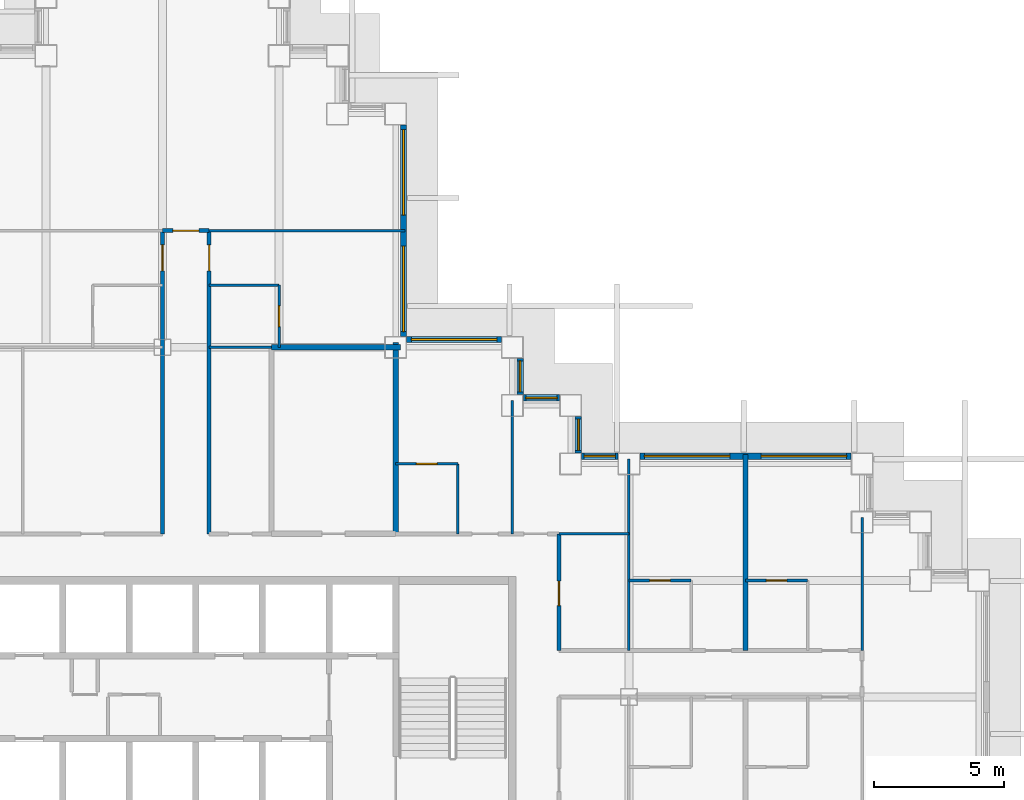
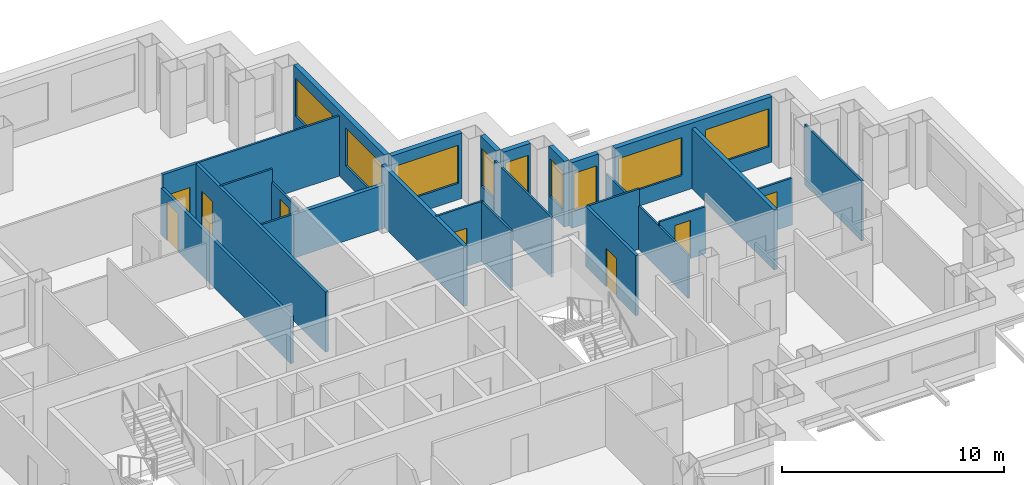
# One storey, part 10 of 17: 26 walls, 9 windows, 8 doors, 17 openings.
"""IFC4 building model written with IfcOpenShell, lengths in metres."""

from ifc_helpers import new_model, si_unit, direction, frame, frame_2d, origin, place, context, subcontext, project, spatial, rectangle, extrude, material, layer, layer_set, type_object, element, fill, save


model = new_model("IFC4")

# Units and contexts
model_context = context("Model", 3, precision=1e-05, world=origin(), true_north=direction((0.0, 1.0)))
body_context = subcontext(model_context, "Body", "Model", "MODEL_VIEW")
ifc_project = project(units=[si_unit("LENGTHUNIT", "METRE"), si_unit("AREAUNIT", "SQUARE_METRE"), si_unit("VOLUMEUNIT", "CUBIC_METRE"), si_unit("PLANEANGLEUNIT", "RADIAN"), si_unit("MASSUNIT", "GRAM", prefix="KILO")], contexts=[model_context])

# Site, building, storey
site_placement = place(None, origin())
site = spatial("IfcSite", under=ifc_project, at=site_placement, CompositionType="ELEMENT")
building_placement = place(site_placement, origin())
building = spatial("IfcBuilding", under=site, at=building_placement, Name="Caravel Reach Hotel and Residences", CompositionType="ELEMENT")
storey_placement = place(building_placement, frame((0.0, 0.0, 126.0)))
storey = spatial("IfcBuildingStorey", under=building, at=storey_placement, Name="L31", CompositionType="ELEMENT", Elevation=126.0)

# Wall, opening, door
ifc_material_1 = material(Name="Gypsum board on steel stud", Category="steel")
ifc_layer_1 = layer(ifc_material_1, 0.10009765625)
ifc_layer_set_1 = layer_set([ifc_layer_1], Name="Bathroom pod wall 100 mm")
wall_type_1 = type_object("IfcWallType", Name="Bathroom pod wall 100 mm", PredefinedType="PARTITIONING", material=ifc_layer_set_1)
wall_1_placement = place(storey_placement, frame((49.5, 31.5, 0.0), z_axis=(0.0, 0.0, 1.0), x_axis=(1.0, 0.0, 0.0)))
wall_1 = element("IfcWall", 1, at=wall_1_placement, inside=storey, type_object=wall_type_1, Name="L31 wall w075", PredefinedType="PARTITIONING", context=body_context, shape_type="SweptSolid", body=[
    extrude(rectangle(XDim=2.39990234375, YDim=0.10009765625, at=frame_2d((1.199951171875, 0.0))), origin(), (0.0, 0.0, 1.0), 2.580078125),
])
opening_1_placement = place(wall_1_placement, frame((0.800048828125, 0.0, 0.0)))
opening_1 = element("IfcOpeningElement", 2, at=opening_1_placement, cuts=wall_1, Name="Opening D31-025", PredefinedType="OPENING", context=body_context, shape_type="SweptSolid", body=[
    extrude(rectangle(XDim=0.800048828125, YDim=2.10009765625, at=frame_2d((0.39990234375, 1.050048828125))), frame((0.0, 0.06005859375, 0.0), z_axis=(0.0, -1.0, 0.0), x_axis=(1.0, 0.0, 0.0)), (0.0, 0.0, 1.0), 0.1201171875),
])
ifc_material_2 = material(Name="Timber and steel door leaf", Category="steel")
door_type_1 = type_object("IfcDoorType", Name="Bathroom door 800 x 2100", OperationType="SINGLE_SWING_LEFT", PredefinedType="DOOR", material=ifc_material_2)
door_1_placement = place(opening_1_placement, origin())
door_1 = element("IfcDoor", 3, at=door_1_placement, inside=storey, type_object=door_type_1, Name="door D31-025", OperationType="SINGLE_SWING_RIGHT", OverallHeight=2.10009765625, OverallWidth=0.800048828125, PredefinedType="DOOR", context=body_context, shape_type="SweptSolid", body=[
    extrude(rectangle(XDim=0.800048828125, YDim=2.10009765625, at=frame_2d((0.39990234375, 1.050048828125))), frame((0.0, 0.02490234375, 0.0), z_axis=(0.0, -1.0, 0.0), x_axis=(1.0, 0.0, 0.0)), (0.0, 0.0, 1.0), 0.050048828125),
])
fill(opening_1, door_1)

wall_2_placement = place(storey_placement, frame((54.0, 31.5, 0.0), z_axis=(0.0, 0.0, 1.0), x_axis=(1.0, 0.0, 0.0)))
wall_2 = element("IfcWall", 4, at=wall_2_placement, inside=storey, type_object=wall_type_1, Name="L31 wall w076", PredefinedType="PARTITIONING", context=body_context, shape_type="SweptSolid", body=[
    extrude(rectangle(XDim=2.39990234375, YDim=0.10009765625, at=frame_2d((1.199951171875, 0.0))), origin(), (0.0, 0.0, 1.0), 2.580078125),
])
opening_2_placement = place(wall_2_placement, frame((0.800048828125, 0.0, 0.0)))
opening_2 = element("IfcOpeningElement", 5, at=opening_2_placement, cuts=wall_2, Name="Opening D31-027", PredefinedType="OPENING", context=body_context, shape_type="SweptSolid", body=[
    extrude(rectangle(XDim=0.800048828125, YDim=2.10009765625, at=frame_2d((0.39990234375, 1.050048828125))), frame((0.0, 0.06005859375, 0.0), z_axis=(0.0, -1.0, 0.0), x_axis=(1.0, 0.0, 0.0)), (0.0, 0.0, 1.0), 0.1201171875),
])
door_2_placement = place(opening_2_placement, origin())
door_2 = element("IfcDoor", 6, at=door_2_placement, inside=storey, type_object=door_type_1, Name="door D31-027", OperationType="SINGLE_SWING_LEFT", OverallHeight=2.10009765625, OverallWidth=0.800048828125, PredefinedType="DOOR", context=body_context, shape_type="SweptSolid", body=[
    extrude(rectangle(XDim=0.800048828125, YDim=2.10009765625, at=frame_2d((0.39990234375, 1.050048828125))), frame((0.0, 0.02490234375, 0.0), z_axis=(0.0, -1.0, 0.0), x_axis=(1.0, 0.0, 0.0)), (0.0, 0.0, 1.0), 0.050048828125),
])
fill(opening_2, door_2)

wall_3_placement = place(storey_placement, frame((40.5, 36.0, 0.0), z_axis=(0.0, 0.0, 1.0), x_axis=(1.0, 0.0, 0.0)))
wall_3 = element("IfcWall", 7, at=wall_3_placement, inside=storey, type_object=wall_type_1, Name="L31 wall w078", PredefinedType="PARTITIONING", context=body_context, shape_type="SweptSolid", body=[
    extrude(rectangle(XDim=2.39990234375, YDim=0.10009765625, at=frame_2d((1.199951171875, 0.0))), origin(), (0.0, 0.0, 1.0), 3.300048828125),
])
opening_3_placement = place(wall_3_placement, frame((0.800048828125, 0.0, 0.0)))
opening_3 = element("IfcOpeningElement", 8, at=opening_3_placement, cuts=wall_3, Name="Opening D31-044", PredefinedType="OPENING", context=body_context, shape_type="SweptSolid", body=[
    extrude(rectangle(XDim=0.800048828125, YDim=2.10009765625, at=frame_2d((0.39990234375, 1.050048828125))), frame((0.0, 0.06005859375, 0.0), z_axis=(0.0, -1.0, 0.0), x_axis=(1.0, 0.0, 0.0)), (0.0, 0.0, 1.0), 0.1201171875),
])
door_3_placement = place(opening_3_placement, origin())
door_3 = element("IfcDoor", 9, at=door_3_placement, inside=storey, type_object=door_type_1, Name="door D31-044", OperationType="SINGLE_SWING_LEFT", OverallHeight=2.10009765625, OverallWidth=0.800048828125, PredefinedType="DOOR", context=body_context, shape_type="SweptSolid", body=[
    extrude(rectangle(XDim=0.800048828125, YDim=2.10009765625, at=frame_2d((0.39990234375, 1.050048828125))), frame((0.0, 0.02490234375, 0.0), z_axis=(0.0, -1.0, 0.0), x_axis=(1.0, 0.0, 0.0)), (0.0, 0.0, 1.0), 0.050048828125),
])
fill(opening_3, door_3)

# Wall
wall_4_placement = place(storey_placement, frame((33.300048828125, 42.89990234375, 0.0), z_axis=(0.0, 0.0, 1.0), x_axis=(1.0, 0.0, 0.0)))
element("IfcWall", 10, at=wall_4_placement, inside=storey, type_object=wall_type_1, Name="L31 wall w079", PredefinedType="PARTITIONING", context=body_context, shape_type="SweptSolid", body=[
    extrude(rectangle(XDim=2.699951171875, YDim=0.10009765625, at=frame_2d((1.35009765625, 0.0))), origin(), (0.0, 0.0, 1.0), 3.300048828125),
])

# Wall, opening, door
wall_5_placement = place(storey_placement, frame((36.0, 40.5, 0.0), z_axis=(0.0, 0.0, 1.0), x_axis=(0.0, 1.0, 0.0)))
wall_5 = element("IfcWall", 11, at=wall_5_placement, inside=storey, type_object=wall_type_1, Name="L31 wall w089", PredefinedType="PARTITIONING", context=body_context, shape_type="SweptSolid", body=[
    extrude(rectangle(XDim=2.39990234375, YDim=0.10009765625, at=frame_2d((1.199951171875, 0.0))), origin(), (0.0, 0.0, 1.0), 2.580078125),
])
opening_4_placement = place(wall_5_placement, frame((0.800048828125, 0.0, 0.0)))
opening_4 = element("IfcOpeningElement", 12, at=opening_4_placement, cuts=wall_5, Name="Opening D31-031", PredefinedType="OPENING", context=body_context, shape_type="SweptSolid", body=[
    extrude(rectangle(XDim=0.800048828125, YDim=2.10009765625, at=frame_2d((0.39990234375, 1.050048828125))), frame((0.0, 0.06005859375, 0.0), z_axis=(0.0, -1.0, 0.0), x_axis=(1.0, 0.0, 0.0)), (0.0, 0.0, 1.0), 0.1201171875),
])
door_4_placement = place(opening_4_placement, origin())
door_4 = element("IfcDoor", 13, at=door_4_placement, inside=storey, type_object=door_type_1, Name="door D31-031", OperationType="SINGLE_SWING_LEFT", OverallHeight=2.10009765625, OverallWidth=0.800048828125, PredefinedType="DOOR", context=body_context, shape_type="SweptSolid", body=[
    extrude(rectangle(XDim=0.800048828125, YDim=2.10009765625, at=frame_2d((0.39990234375, 1.050048828125))), frame((0.0, 0.02490234375, 0.0), z_axis=(0.0, -1.0, 0.0), x_axis=(1.0, 0.0, 0.0)), (0.0, 0.0, 1.0), 0.050048828125),
])
fill(opening_4, door_4)

# Walls
wall_6_placement = place(storey_placement, frame((42.89990234375, 33.300048828125, 0.0), z_axis=(0.0, 0.0, 1.0), x_axis=(0.0, 1.0, 0.0)))
element("IfcWall", 14, at=wall_6_placement, inside=storey, type_object=wall_type_1, Name="L31 wall w090", PredefinedType="PARTITIONING", context=body_context, shape_type="SweptSolid", body=[
    extrude(rectangle(XDim=2.699951171875, YDim=0.10009765625, at=frame_2d((1.35009765625, 0.0))), origin(), (0.0, 0.0, 1.0), 3.300048828125),
])
ifc_material_3 = material(Name="Autoclaved aerated block wall")
ifc_layer_2 = layer(ifc_material_3, 0.199951171875)
ifc_layer_set_2 = layer_set([ifc_layer_2], Name="Compartment wall 200 mm EI 120")
wall_type_2 = type_object("IfcWallType", Name="Compartment wall 200 mm EI 120", PredefinedType="PARTITIONING", material=ifc_layer_set_2)
wall_7_placement = place(storey_placement, frame((35.699951171875, 40.5, 0.0), z_axis=(0.0, 0.0, 1.0), x_axis=(1.0, 0.0, 0.0)))
element("IfcWall", 15, at=wall_7_placement, inside=storey, type_object=wall_type_2, Name="L31 wall w099", PredefinedType="PARTITIONING", context=body_context, shape_type="SweptSolid", body=[
    extrude(rectangle(XDim=4.989990234375, YDim=0.199951171875, at=frame_2d((2.4951171875, 0.0))), origin(), (0.0, 0.0, 1.0), 2.3798828125),
])
wall_8_placement = place(storey_placement, frame((40.5, 33.300048828125, 0.0), z_axis=(0.0, 0.0, 1.0), x_axis=(0.0, 1.0, 0.0)))
element("IfcWall", 16, at=wall_8_placement, inside=storey, type_object=wall_type_2, Name="L31 wall w103", PredefinedType="PARTITIONING", context=body_context, shape_type="SweptSolid", body=[
    extrude(rectangle(XDim=7.389892578125, YDim=0.199951171875, at=frame_2d((3.69482421875, 0.0))), origin(), (0.0, 0.0, 1.0), 3.300048828125),
])

# Wall, opening, door
ifc_material_4 = material(Name="Gypsum board on steel stud, fire-rated", Category="steel")
ifc_layer_3 = layer(ifc_material_4, 0.14990234375)
ifc_layer_set_3 = layer_set([ifc_layer_3], Name="Corridor wall 150 mm EI 60")
wall_type_3 = type_object("IfcWallType", Name="Corridor wall 150 mm EI 60", PredefinedType="PARTITIONING", material=ifc_layer_set_3)
wall_9_placement = place(storey_placement, frame((31.5, 45.0, 0.0), z_axis=(0.0, 0.0, 1.0), x_axis=(1.0, 0.0, 0.0)))
wall_9 = element("IfcWall", 17, at=wall_9_placement, inside=storey, type_object=wall_type_3, Name="L31 wall w021", PredefinedType="PARTITIONING", context=body_context, shape_type="SweptSolid", body=[
    extrude(rectangle(XDim=1.800048828125, YDim=0.14990234375, at=frame_2d((0.89990234375, 0.0))), origin(), (0.0, 0.0, 1.0), 3.300048828125),
])
opening_5_placement = place(wall_9_placement, frame((0.39990234375, 0.0, 0.0)))
opening_5 = element("IfcOpeningElement", 18, at=opening_5_placement, cuts=wall_9, Name="Opening D31-038", PredefinedType="OPENING", context=body_context, shape_type="SweptSolid", body=[
    extrude(rectangle(XDim=1.0, YDim=2.10009765625, at=frame_2d((0.5, 1.050048828125))), frame((0.0, 0.0849609375, 0.0), z_axis=(0.0, -1.0, 0.0), x_axis=(1.0, 0.0, 0.0)), (0.0, 0.0, 1.0), 0.169921875),
])
ifc_material_5 = material(Name="Steel fire door leaf", Category="steel")
door_type_2 = type_object("IfcDoorType", Name="Guest room door 1000 x 2100 EI 30", OperationType="SINGLE_SWING_LEFT", PredefinedType="DOOR", material=ifc_material_5)
door_5_placement = place(opening_5_placement, origin())
door_5 = element("IfcDoor", 19, at=door_5_placement, inside=storey, type_object=door_type_2, Name="door D31-038", OperationType="SINGLE_SWING_RIGHT", OverallHeight=2.10009765625, OverallWidth=1.0, PredefinedType="DOOR", context=body_context, shape_type="SweptSolid", body=[
    extrude(rectangle(XDim=1.0, YDim=2.10009765625, at=frame_2d((0.5, 1.050048828125))), frame((0.0, 0.02490234375, 0.0), z_axis=(0.0, -1.0, 0.0), x_axis=(1.0, 0.0, 0.0)), (0.0, 0.0, 1.0), 0.050048828125),
])
fill(opening_5, door_5)

wall_10_placement = place(storey_placement, frame((31.5, 33.300048828125, 0.0), z_axis=(0.0, 0.0, 1.0), x_axis=(0.0, 1.0, 0.0)))
wall_10 = element("IfcWall", 20, at=wall_10_placement, inside=storey, type_object=wall_type_3, Name="L31 wall w029", PredefinedType="PARTITIONING", context=body_context, shape_type="SweptSolid", body=[
    extrude(rectangle(XDim=11.699951171875, YDim=0.14990234375, at=frame_2d((5.85009765625, 0.0))), origin(), (0.0, 0.0, 1.0), 2.580078125),
])
opening_6_placement = place(wall_10_placement, frame((10.14990234375, 0.0, 0.0)))
opening_6 = element("IfcOpeningElement", 21, at=opening_6_placement, cuts=wall_10, Name="Opening D31-028", PredefinedType="OPENING", context=body_context, shape_type="SweptSolid", body=[
    extrude(rectangle(XDim=1.0, YDim=2.10009765625, at=frame_2d((0.5, 1.050048828125))), frame((0.0, 0.0849609375, 0.0), z_axis=(0.0, -1.0, 0.0), x_axis=(1.0, 0.0, 0.0)), (0.0, 0.0, 1.0), 0.169921875),
])
door_6_placement = place(opening_6_placement, origin())
door_6 = element("IfcDoor", 22, at=door_6_placement, inside=storey, type_object=door_type_2, Name="door D31-028", OperationType="SINGLE_SWING_RIGHT", OverallHeight=2.10009765625, OverallWidth=1.0, PredefinedType="DOOR", context=body_context, shape_type="SweptSolid", body=[
    extrude(rectangle(XDim=1.0, YDim=2.10009765625, at=frame_2d((0.5, 1.050048828125))), frame((0.0, 0.02490234375, 0.0), z_axis=(0.0, -1.0, 0.0), x_axis=(1.0, 0.0, 0.0)), (0.0, 0.0, 1.0), 0.050048828125),
])
fill(opening_6, door_6)

wall_11_placement = place(storey_placement, frame((33.300048828125, 33.300048828125, 0.0), z_axis=(0.0, 0.0, 1.0), x_axis=(0.0, 1.0, 0.0)))
wall_11 = element("IfcWall", 23, at=wall_11_placement, inside=storey, type_object=wall_type_3, Name="L31 wall w032", PredefinedType="PARTITIONING", context=body_context, shape_type="SweptSolid", body=[
    extrude(rectangle(XDim=11.699951171875, YDim=0.14990234375, at=frame_2d((5.85009765625, 0.0))), origin(), (0.0, 0.0, 1.0), 3.300048828125),
])
opening_7_placement = place(wall_11_placement, frame((10.14990234375, 0.0, 0.0)))
opening_7 = element("IfcOpeningElement", 24, at=opening_7_placement, cuts=wall_11, Name="Opening D31-030", PredefinedType="OPENING", context=body_context, shape_type="SweptSolid", body=[
    extrude(rectangle(XDim=1.0, YDim=2.10009765625, at=frame_2d((0.5, 1.050048828125))), frame((0.0, 0.0849609375, 0.0), z_axis=(0.0, -1.0, 0.0), x_axis=(1.0, 0.0, 0.0)), (0.0, 0.0, 1.0), 0.169921875),
])
door_7_placement = place(opening_7_placement, origin())
door_7 = element("IfcDoor", 25, at=door_7_placement, inside=storey, type_object=door_type_2, Name="door D31-030", OperationType="SINGLE_SWING_RIGHT", OverallHeight=2.10009765625, OverallWidth=1.0, PredefinedType="DOOR", context=body_context, shape_type="SweptSolid", body=[
    extrude(rectangle(XDim=1.0, YDim=2.10009765625, at=frame_2d((0.5, 1.050048828125))), frame((0.0, 0.02490234375, 0.0), z_axis=(0.0, -1.0, 0.0), x_axis=(1.0, 0.0, 0.0)), (0.0, 0.0, 1.0), 0.050048828125),
])
fill(opening_7, door_7)

wall_12_placement = place(storey_placement, frame((46.800048828125, 28.800048828125, 0.0), z_axis=(0.0, 0.0, 1.0), x_axis=(0.0, 1.0, 0.0)))
wall_12 = element("IfcWall", 26, at=wall_12_placement, inside=storey, type_object=wall_type_3, Name="L31 wall w033", PredefinedType="PARTITIONING", context=body_context, shape_type="SweptSolid", body=[
    extrude(rectangle(XDim=4.5, YDim=0.14990234375, at=frame_2d((2.25, 0.0))), origin(), (0.0, 0.0, 1.0), 3.300048828125),
])
opening_8_placement = place(wall_12_placement, frame((1.72509765625, 0.0, 0.0)))
opening_8 = element("IfcOpeningElement", 27, at=opening_8_placement, cuts=wall_12, Name="Opening D31-059", PredefinedType="OPENING", context=body_context, shape_type="SweptSolid", body=[
    extrude(rectangle(XDim=0.949951171875, YDim=2.10009765625, at=frame_2d((0.47509765625, 1.050048828125))), frame((0.0, 0.0849609375, 0.0), z_axis=(0.0, -1.0, 0.0), x_axis=(1.0, 0.0, 0.0)), (0.0, 0.0, 1.0), 0.169921875),
])
ifc_material_6 = material(Name="Timber and steel door leaf", Category="steel")
door_type_3 = type_object("IfcDoorType", Name="Accessible WC door 950 x 2100", OperationType="SINGLE_SWING_LEFT", PredefinedType="DOOR", material=ifc_material_6)
door_8_placement = place(opening_8_placement, origin())
door_8 = element("IfcDoor", 28, at=door_8_placement, inside=storey, type_object=door_type_3, Name="door D31-059", OperationType="SINGLE_SWING_RIGHT", OverallHeight=2.10009765625, OverallWidth=0.949951171875, PredefinedType="DOOR", context=body_context, shape_type="SweptSolid", body=[
    extrude(rectangle(XDim=0.949951171875, YDim=2.10009765625, at=frame_2d((0.47509765625, 1.050048828125))), frame((0.0, 0.02490234375, 0.0), z_axis=(0.0, -1.0, 0.0), x_axis=(1.0, 0.0, 0.0)), (0.0, 0.0, 1.0), 0.050048828125),
])
fill(opening_8, door_8)

# Wall, openings, windows
ifc_material_7 = material(Name="Insulated rainscreen wall, aluminium cladding", Category="aluminium")
ifc_layer_4 = layer(ifc_material_7, 0.25)
ifc_layer_set_4 = layer_set([ifc_layer_4], Name="EW1 Tower rainscreen wall")
wall_type_4 = type_object("IfcWallType", Name="EW1 Tower rainscreen wall", PredefinedType="SOLIDWALL", material=ifc_layer_set_4)
wall_13_placement = place(storey_placement, frame((58.074951171875, 36.300048828125, 0.0), z_axis=(0.0, 0.0, 1.0), x_axis=(-1.0, 0.0, 0.0)))
wall_13 = element("IfcWall", 29, at=wall_13_placement, inside=storey, type_object=wall_type_4, Name="External wall L31 N25.1", PredefinedType="SOLIDWALL", context=body_context, shape_type="SweptSolid", body=[
    extrude(rectangle(XDim=8.14990234375, YDim=0.25, at=frame_2d((4.074951171875, 0.0))), origin(), (0.0, 0.0, 1.0), 3.60009765625),
])
opening_9_placement = place(wall_13_placement, frame((0.175048828125, 0.0, 0.89990234375)))
opening_9 = element("IfcOpeningElement", 30, at=opening_9_placement, cuts=wall_13, Name="Opening WN4", PredefinedType="OPENING", context=body_context, shape_type="SweptSolid", body=[
    extrude(rectangle(XDim=3.300048828125, YDim=2.080078125, at=frame_2d((1.64990234375, 1.0400390625))), frame((0.0, 0.135009765625, 0.0), z_axis=(0.0, -1.0, 0.0), x_axis=(1.0, 0.0, 0.0)), (0.0, 0.0, 1.0), 0.27001953125),
])
opening_10_placement = place(wall_13_placement, frame((4.675048828125, 0.0, 0.89990234375)))
opening_10 = element("IfcOpeningElement", 31, at=opening_10_placement, cuts=wall_13, Name="Opening WN4", PredefinedType="OPENING", context=body_context, shape_type="SweptSolid", body=[
    extrude(rectangle(XDim=3.300048828125, YDim=2.080078125, at=frame_2d((1.64990234375, 1.0400390625))), frame((0.0, 0.135009765625, 0.0), z_axis=(0.0, -1.0, 0.0), x_axis=(1.0, 0.0, 0.0)), (0.0, 0.0, 1.0), 0.27001953125),
])
ifc_material_8 = material(Name="Dark low-e glazing in black aluminium frame", Category="aluminium")
window_type_1 = type_object("IfcWindowType", Name="Hotel guest room window 3300 x 2080", PartitioningType="SINGLE_PANEL", PredefinedType="WINDOW", material=ifc_material_8)
window_1_placement = place(opening_9_placement, origin())
window_1 = element("IfcWindow", 32, at=window_1_placement, inside=storey, type_object=window_type_1, Name="Window L31 N25.1.1", OverallHeight=2.080078125, OverallWidth=3.300048828125, PartitioningType="SINGLE_PANEL", PredefinedType="WINDOW", context=body_context, shape_type="SweptSolid", body=[
    extrude(rectangle(XDim=3.300048828125, YDim=2.080078125, at=frame_2d((1.64990234375, 1.0400390625))), frame((0.0, 0.030029296875, 0.0), z_axis=(0.0, -1.0, 0.0), x_axis=(1.0, 0.0, 0.0)), (0.0, 0.0, 1.0), 0.06005859375),
])
fill(opening_9, window_1)
window_2_placement = place(opening_10_placement, origin())
window_2 = element("IfcWindow", 33, at=window_2_placement, inside=storey, type_object=window_type_1, Name="Window L31 N25.1.2", OverallHeight=2.080078125, OverallWidth=3.300048828125, PartitioningType="SINGLE_PANEL", PredefinedType="WINDOW", context=body_context, shape_type="SweptSolid", body=[
    extrude(rectangle(XDim=3.300048828125, YDim=2.080078125, at=frame_2d((1.64990234375, 1.0400390625))), frame((0.0, 0.030029296875, 0.0), z_axis=(0.0, -1.0, 0.0), x_axis=(1.0, 0.0, 0.0)), (0.0, 0.0, 1.0), 0.06005859375),
])
fill(opening_10, window_2)

# Wall, opening, window
wall_14_placement = place(storey_placement, frame((49.074951171875, 36.300048828125, 0.0), z_axis=(0.0, 0.0, 1.0), x_axis=(-1.0, 0.0, 0.0)))
wall_14 = element("IfcWall", 34, at=wall_14_placement, inside=storey, type_object=wall_type_4, Name="External wall L31 N25.2", PredefinedType="SOLIDWALL", context=body_context, shape_type="SweptSolid", body=[
    extrude(rectangle(XDim=1.39990234375, YDim=0.25, at=frame_2d((0.699951171875, 0.0))), origin(), (0.0, 0.0, 1.0), 3.60009765625),
])
opening_11_placement = place(wall_14_placement, frame((0.10009765625, 0.0, 0.89990234375)))
opening_11 = element("IfcOpeningElement", 35, at=opening_11_placement, cuts=wall_14, Name="Opening WN9", PredefinedType="OPENING", context=body_context, shape_type="SweptSolid", body=[
    extrude(rectangle(XDim=1.199951171875, YDim=2.080078125, at=frame_2d((0.60009765625, 1.0400390625))), frame((0.0, 0.135009765625, 0.0), z_axis=(0.0, -1.0, 0.0), x_axis=(1.0, 0.0, 0.0)), (0.0, 0.0, 1.0), 0.27001953125),
])
ifc_material_9 = material(Name="Dark low-e glazing in black aluminium frame", Category="aluminium")
window_type_2 = type_object("IfcWindowType", Name="Hotel suite corner window 1200 x 2080", PartitioningType="SINGLE_PANEL", PredefinedType="WINDOW", material=ifc_material_9)
window_3_placement = place(opening_11_placement, origin())
window_3 = element("IfcWindow", 36, at=window_3_placement, inside=storey, type_object=window_type_2, Name="Window L31 N25.2.1", OverallHeight=2.080078125, OverallWidth=1.199951171875, PartitioningType="SINGLE_PANEL", PredefinedType="WINDOW", context=body_context, shape_type="SweptSolid", body=[
    extrude(rectangle(XDim=1.199951171875, YDim=2.080078125, at=frame_2d((0.60009765625, 1.0400390625))), frame((0.0, 0.030029296875, 0.0), z_axis=(0.0, -1.0, 0.0), x_axis=(1.0, 0.0, 0.0)), (0.0, 0.0, 1.0), 0.06005859375),
])
fill(opening_11, window_3)

wall_15_placement = place(storey_placement, frame((47.550048828125, 36.425048828125, 0.0), z_axis=(0.0, 0.0, 1.0), x_axis=(0.0, 1.0, 0.0)))
wall_15 = element("IfcWall", 37, at=wall_15_placement, inside=storey, type_object=wall_type_4, Name="External wall L31 E26.1", PredefinedType="SOLIDWALL", context=body_context, shape_type="SweptSolid", body=[
    extrude(rectangle(XDim=1.39990234375, YDim=0.25, at=frame_2d((0.699951171875, 0.0))), origin(), (0.0, 0.0, 1.0), 3.60009765625),
])
opening_12_placement = place(wall_15_placement, frame((0.10009765625, 0.0, 0.89990234375)))
opening_12 = element("IfcOpeningElement", 38, at=opening_12_placement, cuts=wall_15, Name="Opening WN9", PredefinedType="OPENING", context=body_context, shape_type="SweptSolid", body=[
    extrude(rectangle(XDim=1.199951171875, YDim=2.080078125, at=frame_2d((0.60009765625, 1.0400390625))), frame((0.0, 0.135009765625, 0.0), z_axis=(0.0, -1.0, 0.0), x_axis=(1.0, 0.0, 0.0)), (0.0, 0.0, 1.0), 0.27001953125),
])
window_4_placement = place(opening_12_placement, origin())
window_4 = element("IfcWindow", 39, at=window_4_placement, inside=storey, type_object=window_type_2, Name="Window L31 E26.1.1", OverallHeight=2.080078125, OverallWidth=1.199951171875, PartitioningType="SINGLE_PANEL", PredefinedType="WINDOW", context=body_context, shape_type="SweptSolid", body=[
    extrude(rectangle(XDim=1.199951171875, YDim=2.080078125, at=frame_2d((0.60009765625, 1.0400390625))), frame((0.0, 0.030029296875, 0.0), z_axis=(0.0, -1.0, 0.0), x_axis=(1.0, 0.0, 0.0)), (0.0, 0.0, 1.0), 0.06005859375),
])
fill(opening_12, window_4)

wall_16_placement = place(storey_placement, frame((46.824951171875, 38.550048828125, 0.0), z_axis=(0.0, 0.0, 1.0), x_axis=(-1.0, 0.0, 0.0)))
wall_16 = element("IfcWall", 40, at=wall_16_placement, inside=storey, type_object=wall_type_4, Name="External wall L31 N27.1", PredefinedType="SOLIDWALL", context=body_context, shape_type="SweptSolid", body=[
    extrude(rectangle(XDim=1.39990234375, YDim=0.25, at=frame_2d((0.699951171875, 0.0))), origin(), (0.0, 0.0, 1.0), 3.60009765625),
])
opening_13_placement = place(wall_16_placement, frame((0.10009765625, 0.0, 0.89990234375)))
opening_13 = element("IfcOpeningElement", 41, at=opening_13_placement, cuts=wall_16, Name="Opening WN9", PredefinedType="OPENING", context=body_context, shape_type="SweptSolid", body=[
    extrude(rectangle(XDim=1.199951171875, YDim=2.080078125, at=frame_2d((0.60009765625, 1.0400390625))), frame((0.0, 0.135009765625, 0.0), z_axis=(0.0, -1.0, 0.0), x_axis=(1.0, 0.0, 0.0)), (0.0, 0.0, 1.0), 0.27001953125),
])
window_5_placement = place(opening_13_placement, origin())
window_5 = element("IfcWindow", 42, at=window_5_placement, inside=storey, type_object=window_type_2, Name="Window L31 N27.1.1", OverallHeight=2.080078125, OverallWidth=1.199951171875, PartitioningType="SINGLE_PANEL", PredefinedType="WINDOW", context=body_context, shape_type="SweptSolid", body=[
    extrude(rectangle(XDim=1.199951171875, YDim=2.080078125, at=frame_2d((0.60009765625, 1.0400390625))), frame((0.0, 0.030029296875, 0.0), z_axis=(0.0, -1.0, 0.0), x_axis=(1.0, 0.0, 0.0)), (0.0, 0.0, 1.0), 0.06005859375),
])
fill(opening_13, window_5)

wall_17_placement = place(storey_placement, frame((45.300048828125, 38.675048828125, 0.0), z_axis=(0.0, 0.0, 1.0), x_axis=(0.0, 1.0, 0.0)))
wall_17 = element("IfcWall", 43, at=wall_17_placement, inside=storey, type_object=wall_type_4, Name="External wall L31 E28.1", PredefinedType="SOLIDWALL", context=body_context, shape_type="SweptSolid", body=[
    extrude(rectangle(XDim=1.39990234375, YDim=0.25, at=frame_2d((0.699951171875, 0.0))), origin(), (0.0, 0.0, 1.0), 3.60009765625),
])
opening_14_placement = place(wall_17_placement, frame((0.10009765625, 0.0, 0.89990234375)))
opening_14 = element("IfcOpeningElement", 44, at=opening_14_placement, cuts=wall_17, Name="Opening WN9", PredefinedType="OPENING", context=body_context, shape_type="SweptSolid", body=[
    extrude(rectangle(XDim=1.199951171875, YDim=2.080078125, at=frame_2d((0.60009765625, 1.0400390625))), frame((0.0, 0.135009765625, 0.0), z_axis=(0.0, -1.0, 0.0), x_axis=(1.0, 0.0, 0.0)), (0.0, 0.0, 1.0), 0.27001953125),
])
window_6_placement = place(opening_14_placement, origin())
window_6 = element("IfcWindow", 45, at=window_6_placement, inside=storey, type_object=window_type_2, Name="Window L31 E28.1.1", OverallHeight=2.080078125, OverallWidth=1.199951171875, PartitioningType="SINGLE_PANEL", PredefinedType="WINDOW", context=body_context, shape_type="SweptSolid", body=[
    extrude(rectangle(XDim=1.199951171875, YDim=2.080078125, at=frame_2d((0.60009765625, 1.0400390625))), frame((0.0, 0.030029296875, 0.0), z_axis=(0.0, -1.0, 0.0), x_axis=(1.0, 0.0, 0.0)), (0.0, 0.0, 1.0), 0.06005859375),
])
fill(opening_14, window_6)

wall_18_placement = place(storey_placement, frame((44.574951171875, 40.800048828125, 0.0), z_axis=(0.0, 0.0, 1.0), x_axis=(-1.0, 0.0, 0.0)))
wall_18 = element("IfcWall", 46, at=wall_18_placement, inside=storey, type_object=wall_type_4, Name="External wall L31 N29.1", PredefinedType="SOLIDWALL", context=body_context, shape_type="SweptSolid", body=[
    extrude(rectangle(XDim=3.64990234375, YDim=0.25, at=frame_2d((1.824951171875, 0.0))), origin(), (0.0, 0.0, 1.0), 3.60009765625),
])
opening_15_placement = place(wall_18_placement, frame((0.175048828125, 0.0, 0.89990234375)))
opening_15 = element("IfcOpeningElement", 47, at=opening_15_placement, cuts=wall_18, Name="Opening WN4", PredefinedType="OPENING", context=body_context, shape_type="SweptSolid", body=[
    extrude(rectangle(XDim=3.300048828125, YDim=2.080078125, at=frame_2d((1.64990234375, 1.0400390625))), frame((0.0, 0.135009765625, 0.0), z_axis=(0.0, -1.0, 0.0), x_axis=(1.0, 0.0, 0.0)), (0.0, 0.0, 1.0), 0.27001953125),
])
window_7_placement = place(opening_15_placement, origin())
window_7 = element("IfcWindow", 48, at=window_7_placement, inside=storey, type_object=window_type_1, Name="Window L31 N29.1.1", OverallHeight=2.080078125, OverallWidth=3.300048828125, PartitioningType="SINGLE_PANEL", PredefinedType="WINDOW", context=body_context, shape_type="SweptSolid", body=[
    extrude(rectangle(XDim=3.300048828125, YDim=2.080078125, at=frame_2d((1.64990234375, 1.0400390625))), frame((0.0, 0.030029296875, 0.0), z_axis=(0.0, -1.0, 0.0), x_axis=(1.0, 0.0, 0.0)), (0.0, 0.0, 1.0), 0.06005859375),
])
fill(opening_15, window_7)

# Wall, openings, windows
wall_19_placement = place(storey_placement, frame((40.800048828125, 40.925048828125, 0.0), z_axis=(0.0, 0.0, 1.0), x_axis=(0.0, 1.0, 0.0)))
wall_19 = element("IfcWall", 49, at=wall_19_placement, inside=storey, type_object=wall_type_4, Name="External wall L31 E30.1", PredefinedType="SOLIDWALL", context=body_context, shape_type="SweptSolid", body=[
    extrude(rectangle(XDim=8.14990234375, YDim=0.25, at=frame_2d((4.074951171875, 0.0))), origin(), (0.0, 0.0, 1.0), 3.60009765625),
])
opening_16_placement = place(wall_19_placement, frame((0.175048828125, 0.0, 0.89990234375)))
opening_16 = element("IfcOpeningElement", 50, at=opening_16_placement, cuts=wall_19, Name="Opening WN4", PredefinedType="OPENING", context=body_context, shape_type="SweptSolid", body=[
    extrude(rectangle(XDim=3.300048828125, YDim=2.080078125, at=frame_2d((1.64990234375, 1.0400390625))), frame((0.0, 0.135009765625, 0.0), z_axis=(0.0, -1.0, 0.0), x_axis=(1.0, 0.0, 0.0)), (0.0, 0.0, 1.0), 0.27001953125),
])
opening_17_placement = place(wall_19_placement, frame((4.675048828125, 0.0, 0.89990234375)))
opening_17 = element("IfcOpeningElement", 51, at=opening_17_placement, cuts=wall_19, Name="Opening WN4", PredefinedType="OPENING", context=body_context, shape_type="SweptSolid", body=[
    extrude(rectangle(XDim=3.300048828125, YDim=2.080078125, at=frame_2d((1.64990234375, 1.0400390625))), frame((0.0, 0.135009765625, 0.0), z_axis=(0.0, -1.0, 0.0), x_axis=(1.0, 0.0, 0.0)), (0.0, 0.0, 1.0), 0.27001953125),
])
window_8_placement = place(opening_16_placement, origin())
window_8 = element("IfcWindow", 52, at=window_8_placement, inside=storey, type_object=window_type_1, Name="Window L31 E30.1.1", OverallHeight=2.080078125, OverallWidth=3.300048828125, PartitioningType="SINGLE_PANEL", PredefinedType="WINDOW", context=body_context, shape_type="SweptSolid", body=[
    extrude(rectangle(XDim=3.300048828125, YDim=2.080078125, at=frame_2d((1.64990234375, 1.0400390625))), frame((0.0, 0.030029296875, 0.0), z_axis=(0.0, -1.0, 0.0), x_axis=(1.0, 0.0, 0.0)), (0.0, 0.0, 1.0), 0.06005859375),
])
fill(opening_16, window_8)
window_9_placement = place(opening_17_placement, origin())
window_9 = element("IfcWindow", 53, at=window_9_placement, inside=storey, type_object=window_type_1, Name="Window L31 E30.1.2", OverallHeight=2.080078125, OverallWidth=3.300048828125, PartitioningType="SINGLE_PANEL", PredefinedType="WINDOW", context=body_context, shape_type="SweptSolid", body=[
    extrude(rectangle(XDim=3.300048828125, YDim=2.080078125, at=frame_2d((1.64990234375, 1.0400390625))), frame((0.0, 0.030029296875, 0.0), z_axis=(0.0, -1.0, 0.0), x_axis=(1.0, 0.0, 0.0)), (0.0, 0.0, 1.0), 0.06005859375),
])
fill(opening_17, window_9)

# Walls
ifc_material_10 = material(Name="Gypsum board on steel stud", Category="steel")
ifc_layer_5 = layer(ifc_material_10, 0.10009765625)
ifc_layer_set_5 = layer_set([ifc_layer_5], Name="Partition 100 mm")
wall_type_5 = type_object("IfcWallType", Name="Partition 100 mm", PredefinedType="PARTITIONING", material=ifc_layer_set_5)
wall_20_placement = place(storey_placement, frame((46.800048828125, 33.300048828125, 0.0), z_axis=(0.0, 0.0, 1.0), x_axis=(1.0, 0.0, 0.0)))
element("IfcWall", 54, at=wall_20_placement, inside=storey, type_object=wall_type_5, Name="L31 wall w041", PredefinedType="PARTITIONING", context=body_context, shape_type="SweptSolid", body=[
    extrude(rectangle(XDim=2.699951171875, YDim=0.10009765625, at=frame_2d((1.35009765625, 0.0))), origin(), (0.0, 0.0, 1.0), 3.300048828125),
])
wall_21_placement = place(storey_placement, frame((33.300048828125, 40.5, 0.0), z_axis=(0.0, 0.0, 1.0), x_axis=(1.0, 0.0, 0.0)))
element("IfcWall", 55, at=wall_21_placement, inside=storey, type_object=wall_type_5, Name="L31 wall w042", PredefinedType="PARTITIONING", context=body_context, shape_type="SweptSolid", body=[
    extrude(rectangle(XDim=2.39990234375, YDim=0.10009765625, at=frame_2d((1.199951171875, 0.0))), origin(), (0.0, 0.0, 1.0), 2.3798828125),
])
wall_22_placement = place(storey_placement, frame((33.300048828125, 45.0, 0.0), z_axis=(0.0, 0.0, 1.0), x_axis=(1.0, 0.0, 0.0)))
element("IfcWall", 56, at=wall_22_placement, inside=storey, type_object=wall_type_5, Name="L31 wall w045", PredefinedType="PARTITIONING", context=body_context, shape_type="SweptSolid", body=[
    extrude(rectangle(XDim=7.56494140625, YDim=0.10009765625, at=frame_2d((3.782470703125, 0.0))), origin(), (0.0, 0.0, 1.0), 3.300048828125),
])
wall_23_placement = place(storey_placement, frame((45.0, 33.300048828125, 0.0), z_axis=(0.0, 0.0, 1.0), x_axis=(0.0, 1.0, 0.0)))
element("IfcWall", 57, at=wall_23_placement, inside=storey, type_object=wall_type_5, Name="L31 wall w055", PredefinedType="PARTITIONING", context=body_context, shape_type="SweptSolid", body=[
    extrude(rectangle(XDim=5.139892578125, YDim=0.10009765625, at=frame_2d((2.56982421875, 0.0))), origin(), (0.0, 0.0, 1.0), 3.300048828125),
])
wall_24_placement = place(storey_placement, frame((49.5, 28.800048828125, 0.0), z_axis=(0.0, 0.0, 1.0), x_axis=(0.0, 1.0, 0.0)))
element("IfcWall", 58, at=wall_24_placement, inside=storey, type_object=wall_type_5, Name="L31 wall w056", PredefinedType="PARTITIONING", context=body_context, shape_type="SweptSolid", body=[
    extrude(rectangle(XDim=7.389892578125, YDim=0.10009765625, at=frame_2d((3.69482421875, 0.0))), origin(), (0.0, 0.0, 1.0), 2.3798828125),
])
wall_25_placement = place(storey_placement, frame((58.5, 28.800048828125, 0.0), z_axis=(0.0, 0.0, 1.0), x_axis=(0.0, 1.0, 0.0)))
element("IfcWall", 59, at=wall_25_placement, inside=storey, type_object=wall_type_5, Name="L31 wall w059", PredefinedType="PARTITIONING", context=body_context, shape_type="SweptSolid", body=[
    extrude(rectangle(XDim=5.139892578125, YDim=0.10009765625, at=frame_2d((2.56982421875, 0.0))), origin(), (0.0, 0.0, 1.0), 3.300048828125),
])
ifc_material_11 = material(Name="Autoclaved aerated block wall")
ifc_layer_6 = layer(ifc_material_11, 0.199951171875)
ifc_layer_set_6 = layer_set([ifc_layer_6], Name="Party wall 200 mm EI 60")
wall_type_6 = type_object("IfcWallType", Name="Party wall 200 mm EI 60", PredefinedType="PARTITIONING", material=ifc_layer_set_6)
wall_26_placement = place(storey_placement, frame((54.0, 28.800048828125, 0.0), z_axis=(0.0, 0.0, 1.0), x_axis=(0.0, 1.0, 0.0)))
element("IfcWall", 60, at=wall_26_placement, inside=storey, type_object=wall_type_6, Name="L31 wall w065", PredefinedType="PARTITIONING", context=body_context, shape_type="SweptSolid", body=[
    extrude(rectangle(XDim=7.56494140625, YDim=0.199951171875, at=frame_2d((3.782470703125, 0.0))), origin(), (0.0, 0.0, 1.0), 3.300048828125),
])

save(model, "model.ifc")
